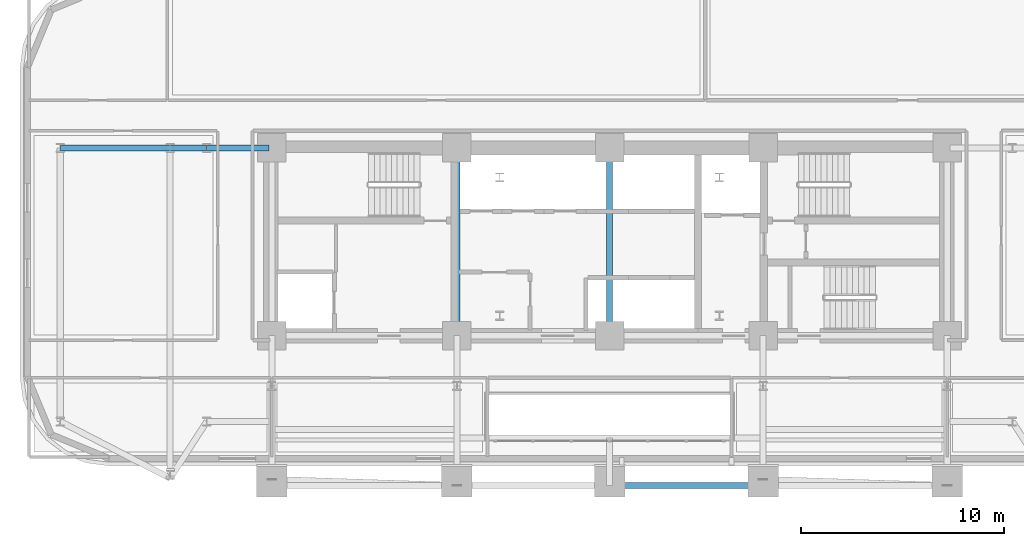
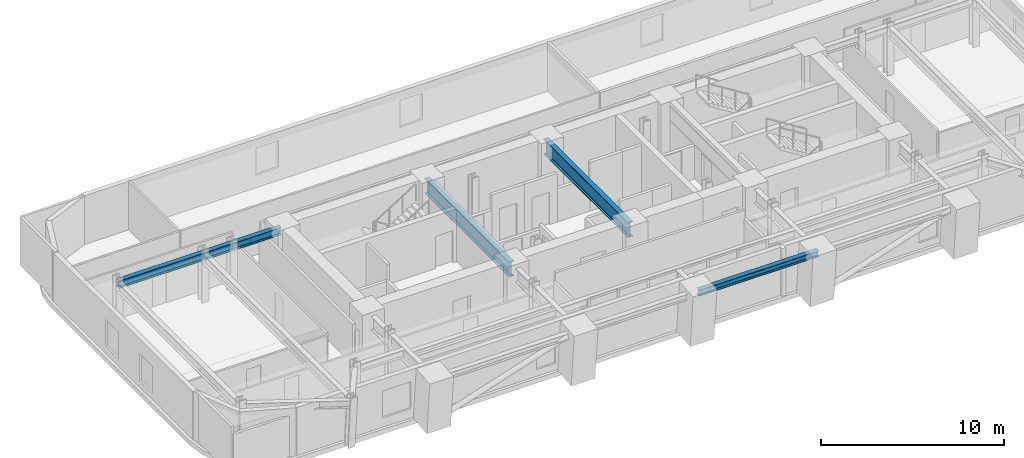
# One storey, part 4 of 14: 6 beams.
"""IFC4 building model written with IfcOpenShell, lengths in metres."""

from ifc_helpers import new_model, si_unit, direction, frame, origin, origin_2d, place, context, subcontext, project, spatial, i_section, extrude, material, material_profile, profile_set, type_object, element, save


model = new_model("IFC4")

# Units and contexts
model_context = context("Model", 3, precision=1e-05, world=origin(), true_north=direction((0.0, 1.0)))
body_context = subcontext(model_context, "Body", "Model", "MODEL_VIEW")
ifc_project = project(units=[si_unit("LENGTHUNIT", "METRE"), si_unit("AREAUNIT", "SQUARE_METRE"), si_unit("VOLUMEUNIT", "CUBIC_METRE"), si_unit("PLANEANGLEUNIT", "RADIAN"), si_unit("MASSUNIT", "GRAM", prefix="KILO")], contexts=[model_context])

# Site, building, storey
site_placement = place(None, origin())
site = spatial("IfcSite", under=ifc_project, at=site_placement, CompositionType="ELEMENT")
building_placement = place(site_placement, origin())
building = spatial("IfcBuilding", under=site, at=building_placement, Name="Zarnavel Station Tower", CompositionType="ELEMENT")
storey_placement = place(building_placement, frame((0.0, 0.0, 60.5)))
storey = spatial("IfcBuildingStorey", under=building, at=storey_placement, Name="L16", CompositionType="ELEMENT", Elevation=60.5)

# Beams
ifc_material_1 = material(Name="Steel S355J2", Category="steel")
ifc_material_profile_1 = material_profile(ifc_material_1, i_section(OverallWidth=0.300048828125, OverallDepth=0.39990234375, WebThickness=0.013427734375, FlangeThickness=0.02392578125, FilletRadius=0.027099609375, at=origin_2d()), Name="HEB400")
ifc_profile_set_1 = profile_set([ifc_material_profile_1], Name="Steel S355J2")
beam_type_1 = type_object("IfcBeamType", Name="EB_HEB400", PredefinedType="SPANDREL", material=ifc_profile_set_1)
beam_1_placement = place(storey_placement, frame((28.800048828125, 20.451904296875, 3.0400390625), z_axis=(1.0, 0.0, 0.0), x_axis=(0.0, 1.0, 0.0)))
element("IfcBeam", 1, at=beam_1_placement, inside=storey, type_object=beam_type_1, Name="L16 South Raked Spandrel 3", PredefinedType="SPANDREL", context=body_context, shape_type="SweptSolid", body=[
    extrude(i_section(OverallWidth=0.300048828125, OverallDepth=0.39990234375, WebThickness=0.013427734375, FlangeThickness=0.02392578125, FilletRadius=0.027099609375, at=origin_2d()), origin(), (0.0, 0.0, 1.0), 7.550048828125),
])
ifc_material_2 = material(Name="Steel S355J2", Category="steel")
ifc_material_profile_2 = material_profile(ifc_material_2, i_section(OverallWidth=0.300048828125, OverallDepth=0.5, WebThickness=0.014404296875, FlangeThickness=0.028076171875, FilletRadius=0.027099609375, at=origin_2d()), Name="HEB500")
ifc_profile_set_2 = profile_set([ifc_material_profile_2], Name="Steel S355J2")
beam_type_2 = type_object("IfcBeamType", Name="FG_HEB500", PredefinedType="USERDEFINED", material=ifc_profile_set_2)
beam_2_placement = place(storey_placement, frame((1.800048828125, 37.050048828125, 2.989990234375), z_axis=(1.0, 0.0, 0.0), x_axis=(0.0, 1.0, 0.0)))
element("IfcBeam", 2, at=beam_2_placement, inside=storey, type_object=beam_type_2, Name="L16 West Wing North Tie 1", ObjectType="GIRDER", PredefinedType="USERDEFINED", context=body_context, shape_type="SweptSolid", body=[
    extrude(i_section(OverallWidth=0.300048828125, OverallDepth=0.5, WebThickness=0.014404296875, FlangeThickness=0.028076171875, FilletRadius=0.027099609375, at=origin_2d()), origin(), (0.0, 0.0, 1.0), 5.39990234375),
])
beam_3_placement = place(storey_placement, frame((7.199951171875, 37.050048828125, 2.989990234375), z_axis=(1.0, 0.0, 0.0), x_axis=(0.0, 1.0, 0.0)))
element("IfcBeam", 3, at=beam_3_placement, inside=storey, type_object=beam_type_2, Name="L16 West Wing North Tie 2", ObjectType="GIRDER", PredefinedType="USERDEFINED", context=body_context, shape_type="SweptSolid", body=[
    extrude(i_section(OverallWidth=0.300048828125, OverallDepth=0.5, WebThickness=0.014404296875, FlangeThickness=0.028076171875, FilletRadius=0.027099609375, at=origin_2d()), origin(), (0.0, 0.0, 1.0), 1.800048828125),
])
beam_4_placement = place(storey_placement, frame((9.0, 37.050048828125, 2.989990234375), z_axis=(1.0, 0.0, 0.0), x_axis=(0.0, 1.0, 0.0)))
element("IfcBeam", 4, at=beam_4_placement, inside=storey, type_object=beam_type_2, Name="L16 West Wing North Tie 3", ObjectType="GIRDER", PredefinedType="USERDEFINED", context=body_context, shape_type="SweptSolid", body=[
    extrude(i_section(OverallWidth=0.300048828125, OverallDepth=0.5, WebThickness=0.014404296875, FlangeThickness=0.028076171875, FilletRadius=0.027099609375, at=origin_2d()), origin(), (0.0, 0.0, 1.0), 3.054931640625),
])
ifc_material_3 = material(Name="Steel S460M", Category="steel")
ifc_material_profile_3 = material_profile(ifc_material_3, i_section(OverallWidth=0.302001953125, OverallDepth=1.008056640625, WebThickness=0.02099609375, FlangeThickness=0.0400390625, FilletRadius=0.030029296875, at=origin_2d()), Name="HEM1000")
ifc_profile_set_3 = profile_set([ifc_material_profile_3], Name="Steel S460M")
beam_type_3 = type_object("IfcBeamType", Name="TG_HEM1000", PredefinedType="USERDEFINED", material=ifc_profile_set_3)
for number, where, z_axis, x_axis, name in (
    (5, (21.300048828125, 27.820068359375, 2.736083984375), (0.0, 1.0, 0.0), (-1.0, 0.0, 0.0), "L16 Core Spine Coupling Girder 2"),
    (6, (28.800048828125, 27.820068359375, 2.736083984375), (0.0, 1.0, 0.0), (-1.0, 0.0, 0.0), "L16 Core Spine Coupling Girder 3"),
):
    element("IfcBeam", number, at=place(storey_placement, frame(where, z_axis=z_axis, x_axis=x_axis)), inside=storey, type_object=beam_type_3, Name=name, ObjectType="GIRDER", PredefinedType="USERDEFINED", context=body_context, shape_type="SweptSolid", body=[
        extrude(i_section(OverallWidth=0.302001953125, OverallDepth=1.008056640625, WebThickness=0.02099609375, FlangeThickness=0.0400390625, FilletRadius=0.030029296875, at=origin_2d()), origin(), (0.0, 0.0, 1.0), 9.22998046875),
    ])

save(model, "model.ifc")
